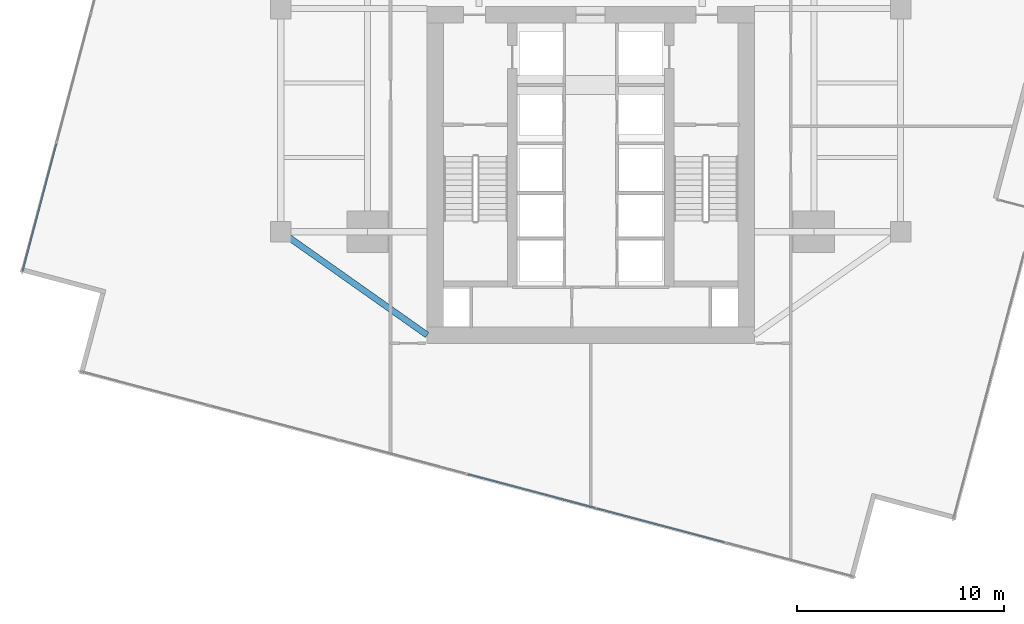
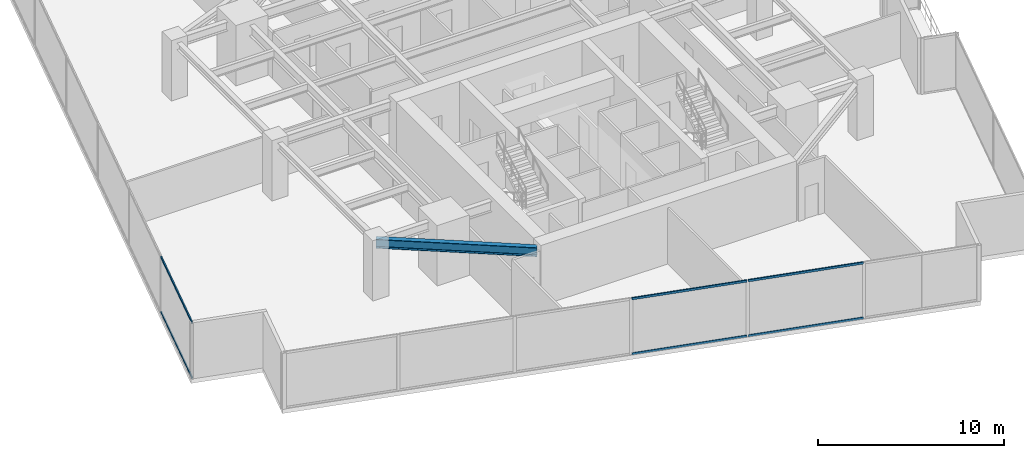
# One storey, part 5 of 27: 6 members, 1 beam, 2 elements without a shape of their own.
"""IFC4 building model written with IfcOpenShell, lengths in metres."""

from ifc_helpers import new_model, si_unit, direction, frame, origin, origin_2d, place, context, subcontext, project, spatial, hollow_rectangle, i_section, extrude, source, transform, mapped, material, material_profile, profile_set, type_object, type_shapes, element, aggregate, save


model = new_model("IFC4")

# Units and contexts
model_context = context("Model", 3, precision=1e-05, world=origin(), true_north=direction((0.0, 1.0)))
body_context = subcontext(model_context, "Body", "Model", "MODEL_VIEW")
ifc_project = project(units=[si_unit("LENGTHUNIT", "METRE"), si_unit("AREAUNIT", "SQUARE_METRE"), si_unit("VOLUMEUNIT", "CUBIC_METRE"), si_unit("PLANEANGLEUNIT", "RADIAN"), si_unit("MASSUNIT", "GRAM", prefix="KILO")], contexts=[model_context])

# Site, building, storey
site_placement = place(None, origin())
site = spatial("IfcSite", under=ifc_project, at=site_placement, CompositionType="ELEMENT")
building_placement = place(site_placement, origin())
building = spatial("IfcBuilding", under=site, at=building_placement, Name="Krantzveldt Concourse Tower", CompositionType="ELEMENT")
storey_placement = place(building_placement, frame((0.0, 0.0, 97.949951171875)))
storey = spatial("IfcBuildingStorey", under=building, at=storey_placement, Name="L23", CompositionType="ELEMENT", Elevation=97.949951171875)

# Beam
ifc_material_1 = material(Name="Steel S355JR", Category="steel")
ifc_material_profile_1 = material_profile(ifc_material_1, i_section(OverallWidth=0.300048828125, OverallDepth=0.590087890625, WebThickness=0.012939453125, FlangeThickness=0.02490234375, FilletRadius=0.027099609375, at=origin_2d()), Name="Steel S355JR", Category="steel")
ifc_profile_set_1 = profile_set([ifc_material_profile_1], Name="Steel S355JR - HEA 600")
beam_type = type_object("IfcBeamType", Name="BM-B-HEA600", PredefinedType="BEAM", material=ifc_profile_set_1)
shared_shape_1 = source(origin(), body_context, "Body", "SweptSolid", [
    extrude(i_section(OverallWidth=0.300048828125, OverallDepth=0.590087890625, WebThickness=0.012939453125, FlangeThickness=0.02490234375, FilletRadius=0.027099609375, at=origin_2d()), origin(), (0.0, 0.0, 1.0), 8.667724609375),
])
type_shapes(beam_type, [shared_shape_1])
beam_placement = place(storey_placement, frame((21.0, 15.89990234375, 3.375), z_axis=(0.81684294656, -0.576860122261, 0.0), x_axis=(0.576860122261, 0.81684294656, 0.0)))
element("IfcBeam", 1, at=beam_placement, inside=storey, type_object=beam_type, Name="L23 Tower Girder BR-CSW", PredefinedType="BEAM", context=body_context, shape_type="MappedRepresentation", body=[
    mapped(shared_shape_1, transform((0.0, 0.0, 0.0), x_axis=(1.0, 0.0, 0.0), y_axis=(0.0, 1.0, 0.0), z_axis=(0.0, 0.0, 1.0), scale=1.0)),
])

# Curtain wall, members
ifc_material_2 = material(Name="Anodised aluminium 6063-T6", Category="aluminium")
curtain_wall_type = type_object("IfcCurtainWallType", Name="CW2", PredefinedType="USERDEFINED", material=ifc_material_2)
curtain_wall_1_placement = place(storey_placement, origin())
curtain_wall_1 = element("IfcCurtainWall", 2, at=curtain_wall_1_placement, inside=storey, type_object=curtain_wall_type, Name="CW-L23-F01", ObjectType="UNITISED CURTAIN WALL", PredefinedType="USERDEFINED")
ifc_material_profile_2 = material_profile(ifc_material_2, hollow_rectangle(XDim=0.070068359375, YDim=0.139892578125, WallThickness=0.0048828125, at=origin_2d()), Name="Anodised aluminium 6063-T6", Category="aluminium")
ifc_profile_set_2 = profile_set([ifc_material_profile_2], Name="Anodised aluminium 6063-T6 - ALU-TRAN 140x70x5")
member_type = type_object("IfcMemberType", Name="CW-TRN-150", PredefinedType="USERDEFINED", material=ifc_profile_set_2)
shared_shape_2 = source(origin(), body_context, "Body", "SweptSolid", [
    extrude(hollow_rectangle(XDim=0.070068359375, YDim=0.139892578125, WallThickness=0.0048828125, at=origin_2d()), origin(), (0.0, 0.0, 1.0), 6.361572265625),
])
member_1_placement = place(storey_placement, frame((10.14208984375, 20.150146484375, 0.03515625), z_axis=(-0.256704687877, -0.966489887801, 0.0), x_axis=(0.966489887801, -0.256704687877, 0.0)))
member_1 = element("IfcMember", 3, at=member_1_placement, type_object=member_type, Name="CW-Z12 transom 6.1", ObjectType="TRANSOM", PredefinedType="USERDEFINED", context=body_context, shape_type="MappedRepresentation", body=[
    mapped(shared_shape_2, transform((0.0, 0.0, 0.0), x_axis=(1.0, 0.0, 0.0), y_axis=(0.0, 1.0, 0.0), z_axis=(0.0, 0.0, 1.0), scale=1.0)),
])
member_2_placement = place(storey_placement, frame((10.14208984375, 20.150146484375, 3.635009765625), z_axis=(-0.256704687877, -0.966489887801, 0.0), x_axis=(0.966489887801, -0.256704687877, 0.0)))
member_2 = element("IfcMember", 4, at=member_2_placement, type_object=member_type, Name="CW-Z12 transom 6.2", ObjectType="TRANSOM", PredefinedType="USERDEFINED", context=body_context, shape_type="MappedRepresentation", body=[
    mapped(shared_shape_2, transform((0.0, 0.0, 0.0), x_axis=(1.0, 0.0, 0.0), y_axis=(0.0, 1.0, 0.0), z_axis=(0.0, 0.0, 1.0), scale=1.0)),
])
aggregate(curtain_wall_1, [member_1, member_2])

curtain_wall_2_placement = place(storey_placement, origin())
curtain_wall_2 = element("IfcCurtainWall", 5, at=curtain_wall_2_placement, inside=storey, type_object=curtain_wall_type, Name="CW-L23-F04", ObjectType="UNITISED CURTAIN WALL", PredefinedType="USERDEFINED")
shared_shape_3 = source(origin(), body_context, "Body", "SweptSolid", [
    extrude(hollow_rectangle(XDim=0.070068359375, YDim=0.139892578125, WallThickness=0.0048828125, at=origin_2d()), origin(), (0.0, 0.0, 1.0), 6.396728515625),
])
type_shapes(member_type, [shared_shape_2, shared_shape_3])
member_3_placement = place(storey_placement, frame((30.0498046875, 4.162109375, 0.03515625), z_axis=(0.966489121884, -0.256707571528, 0.0), x_axis=(0.256707571528, 0.966489121884, 0.0)))
member_3 = element("IfcMember", 6, at=member_3_placement, type_object=member_type, Name="CW-Z12 transom 4.1", ObjectType="TRANSOM", PredefinedType="USERDEFINED", context=body_context, shape_type="MappedRepresentation", body=[
    mapped(shared_shape_3, transform((0.0, 0.0, 0.0), x_axis=(1.0, 0.0, 0.0), y_axis=(0.0, 1.0, 0.0), z_axis=(0.0, 0.0, 1.0), scale=1.0)),
])
member_4_placement = place(storey_placement, frame((30.0498046875, 4.162109375, 3.635009765625), z_axis=(0.966489121884, -0.256707571528, 0.0), x_axis=(0.256707571528, 0.966489121884, 0.0)))
member_4 = element("IfcMember", 7, at=member_4_placement, type_object=member_type, Name="CW-Z12 transom 4.2", ObjectType="TRANSOM", PredefinedType="USERDEFINED", context=body_context, shape_type="MappedRepresentation", body=[
    mapped(shared_shape_3, transform((0.0, 0.0, 0.0), x_axis=(1.0, 0.0, 0.0), y_axis=(0.0, 1.0, 0.0), z_axis=(0.0, 0.0, 1.0), scale=1.0)),
])
member_5_placement = place(storey_placement, frame((36.2998046875, 2.502197265625, 0.03515625), z_axis=(0.966489121884, -0.256707571528, 0.0), x_axis=(0.256707571528, 0.966489121884, 0.0)))
member_5 = element("IfcMember", 8, at=member_5_placement, type_object=member_type, Name="CW-Z12 transom 5.1", ObjectType="TRANSOM", PredefinedType="USERDEFINED", context=body_context, shape_type="MappedRepresentation", body=[
    mapped(shared_shape_3, transform((0.0, 0.0, 0.0), x_axis=(1.0, 0.0, 0.0), y_axis=(0.0, 1.0, 0.0), z_axis=(0.0, 0.0, 1.0), scale=1.0)),
])
member_6_placement = place(storey_placement, frame((36.2998046875, 2.502197265625, 3.635009765625), z_axis=(0.966489121884, -0.256707571528, 0.0), x_axis=(0.256707571528, 0.966489121884, 0.0)))
member_6 = element("IfcMember", 9, at=member_6_placement, type_object=member_type, Name="CW-Z12 transom 5.2", ObjectType="TRANSOM", PredefinedType="USERDEFINED", context=body_context, shape_type="MappedRepresentation", body=[
    mapped(shared_shape_3, transform((0.0, 0.0, 0.0), x_axis=(1.0, 0.0, 0.0), y_axis=(0.0, 1.0, 0.0), z_axis=(0.0, 0.0, 1.0), scale=1.0)),
])
aggregate(curtain_wall_2, [member_3, member_4, member_5, member_6])

save(model, "model.ifc")
